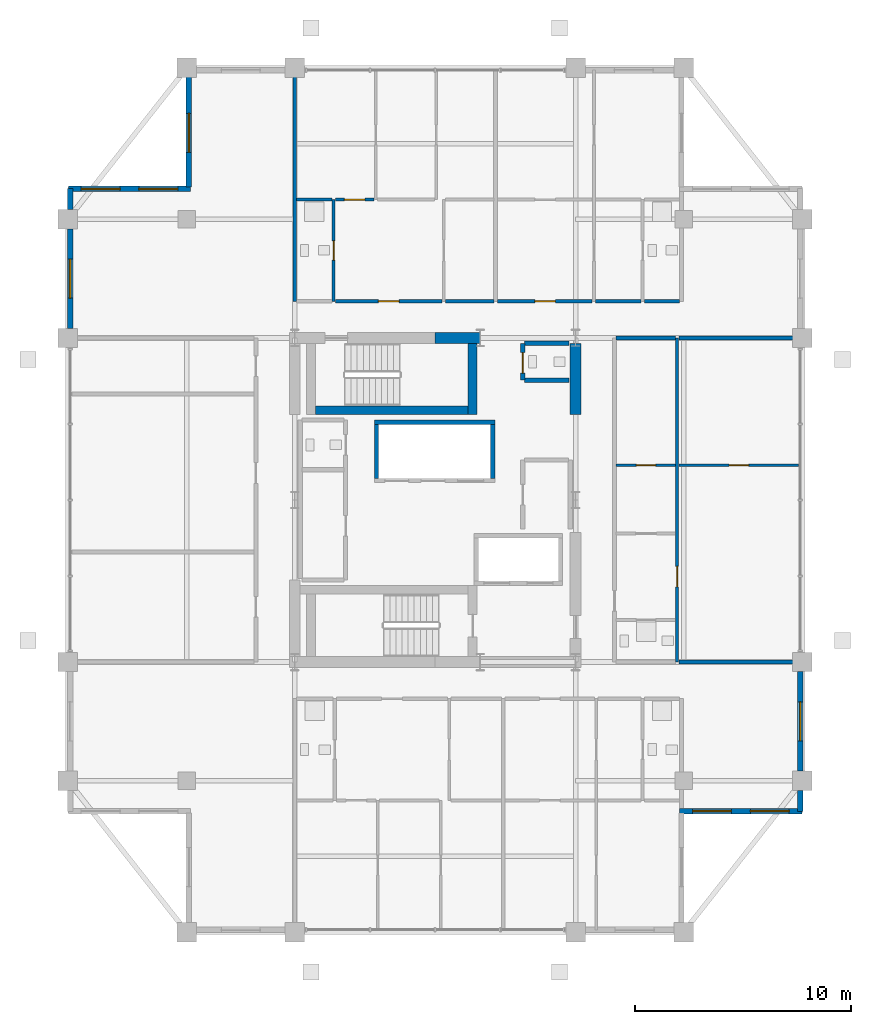
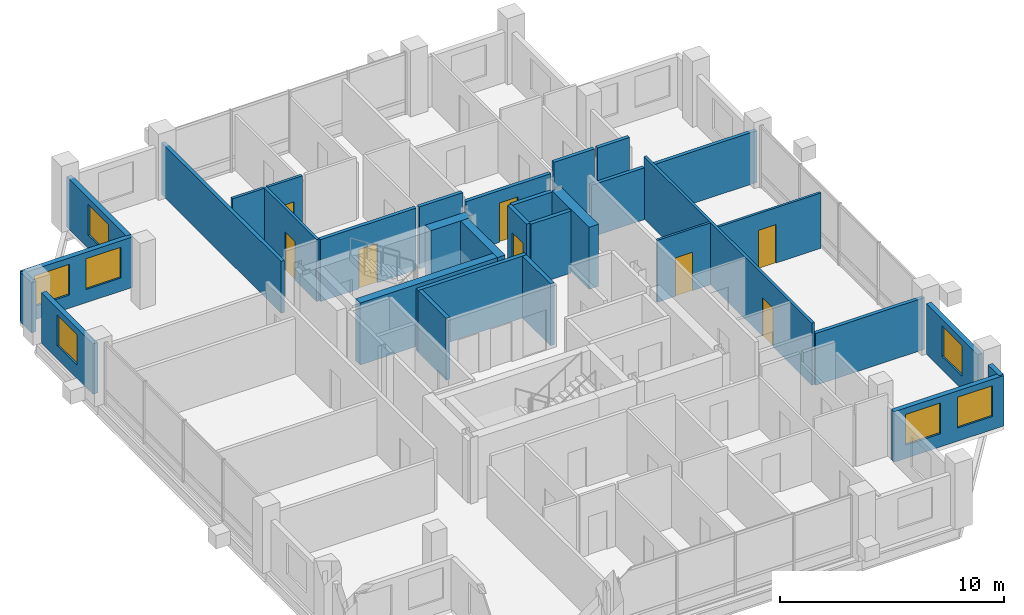
# One storey, part 18 of 21: 32 walls, 8 doors, 7 windows, 15 openings.
"""IFC4 building model written with IfcOpenShell, lengths in metres."""

from ifc_helpers import new_model, si_unit, direction, frame, frame_2d, origin, place, context, subcontext, project, spatial, rectangle, extrude, material, layer, layer_set, type_object, element, fill, save


model = new_model("IFC4")

# Units and contexts
model_context = context("Model", 3, precision=1e-05, world=origin(), true_north=direction((0.0, 1.0)))
body_context = subcontext(model_context, "Body", "Model", "MODEL_VIEW")
ifc_project = project(units=[si_unit("LENGTHUNIT", "METRE"), si_unit("AREAUNIT", "SQUARE_METRE"), si_unit("VOLUMEUNIT", "CUBIC_METRE"), si_unit("PLANEANGLEUNIT", "RADIAN"), si_unit("MASSUNIT", "GRAM", prefix="KILO")], contexts=[model_context])

# Site, building, storey
site_placement = place(None, origin())
site = spatial("IfcSite", under=ifc_project, at=site_placement, CompositionType="ELEMENT")
building_placement = place(site_placement, origin())
building = spatial("IfcBuilding", under=site, at=building_placement, Name="Barlavira Tower and Art Museum", CompositionType="ELEMENT")
storey_placement = place(building_placement, frame((0.0, 0.0, 233.10009765625)))
storey = spatial("IfcBuildingStorey", under=building, at=storey_placement, Name="L60", CompositionType="ELEMENT", Elevation=233.10009765625)

# Wall, opening, door
ifc_material_1 = material(Name="Gypsum acoustic stud partition", Category="gypsum")
ifc_layer_1 = layer(ifc_material_1, 0.1201171875, Name="Gypsum acoustic stud partition")
ifc_layer_set_1 = layer_set([ifc_layer_1], Name="Gypsum acoustic stud partition")
wall_type_1 = type_object("IfcWallType", Name="Apartment Internal Acoustic Partition 120", PredefinedType="PARTITIONING", material=ifc_layer_set_1)
wall_1_placement = place(storey_placement, frame((8.3798828125, 1.60009765625, 0.0), z_axis=(0.0, 0.0, 1.0), x_axis=(1.0, 0.0, 0.0)))
wall_1 = element("IfcWall", 1, at=wall_1_placement, inside=storey, type_object=wall_type_1, Name="L60 Partition Wall 48", PredefinedType="PARTITIONING", context=body_context, shape_type="SweptSolid", body=[
    extrude(rectangle(XDim=2.740234375, YDim=0.1201171875, at=frame_2d((1.3701171875, 0.0))), origin(), (0.0, 0.0, 1.0), 3.3798828125),
])
opening_1_placement = place(wall_1_placement, frame((0.929931640625, 0.0, 0.0)))
opening_1 = element("IfcOpeningElement", 2, at=opening_1_placement, cuts=wall_1, Name="Opening D-01", PredefinedType="OPENING", context=body_context, shape_type="SweptSolid", body=[
    extrude(rectangle(XDim=0.89990234375, YDim=2.10009765625, at=frame_2d((0.449951171875, 1.050048828125))), frame((0.0, 0.070068359375, 0.0), z_axis=(0.0, -1.0, 0.0), x_axis=(1.0, 0.0, 0.0)), (0.0, 0.0, 1.0), 0.14013671875),
])
ifc_material_2 = material(Name="Engineered coastal hardwood", Category="wood")
door_type_1 = type_object("IfcDoorType", Name="Internal Bedroom Timber Flush Door 900x2100", OperationType="NOTDEFINED", PredefinedType="DOOR", material=ifc_material_2)
door_1_placement = place(opening_1_placement, origin())
door_1 = element("IfcDoor", 3, at=door_1_placement, inside=storey, type_object=door_type_1, Name="Apartment E1 Walk-In Dressing Room Door", OperationType="SINGLE_SWING_LEFT", OverallHeight=2.10009765625, OverallWidth=0.89990234375, PredefinedType="DOOR", context=body_context, shape_type="SweptSolid", body=[
    extrude(rectangle(XDim=0.89990234375, YDim=2.10009765625, at=frame_2d((0.449951171875, 1.050048828125))), frame((0.0, 0.02490234375, 0.0), z_axis=(0.0, -1.0, 0.0), x_axis=(1.0, 0.0, 0.0)), (0.0, 0.0, 1.0), 0.050048828125),
])
fill(opening_1, door_1)

wall_2_placement = place(storey_placement, frame((11.280029296875, 1.60009765625, 0.0), z_axis=(0.0, 0.0, 1.0), x_axis=(1.0, 0.0, 0.0)))
wall_2 = element("IfcWall", 4, at=wall_2_placement, inside=storey, type_object=wall_type_1, Name="L60 Partition Wall 49", PredefinedType="PARTITIONING", context=body_context, shape_type="SweptSolid", body=[
    extrude(rectangle(XDim=5.5400390625, YDim=0.1201171875, at=frame_2d((2.77001953125, 0.0))), origin(), (0.0, 0.0, 1.0), 3.017822265625),
])
opening_2_placement = place(wall_2_placement, frame((2.330078125, 0.0, 0.0)))
opening_2 = element("IfcOpeningElement", 5, at=opening_2_placement, cuts=wall_2, Name="Opening D-01", PredefinedType="OPENING", context=body_context, shape_type="SweptSolid", body=[
    extrude(rectangle(XDim=0.89990234375, YDim=2.10009765625, at=frame_2d((0.449951171875, 1.050048828125))), frame((0.0, 0.070068359375, 0.0), z_axis=(0.0, -1.0, 0.0), x_axis=(1.0, 0.0, 0.0)), (0.0, 0.0, 1.0), 0.14013671875),
])
door_2_placement = place(opening_2_placement, origin())
door_2 = element("IfcDoor", 6, at=door_2_placement, inside=storey, type_object=door_type_1, Name="Apartment E1 Bedroom 1 Door", OperationType="SINGLE_SWING_LEFT", OverallHeight=2.10009765625, OverallWidth=0.89990234375, PredefinedType="DOOR", context=body_context, shape_type="SweptSolid", body=[
    extrude(rectangle(XDim=0.89990234375, YDim=2.10009765625, at=frame_2d((0.449951171875, 1.050048828125))), frame((0.0, 0.02490234375, 0.0), z_axis=(0.0, -1.0, 0.0), x_axis=(1.0, 0.0, 0.0)), (0.0, 0.0, 1.0), 0.050048828125),
])
fill(opening_2, door_2)

# Walls
ifc_material_3 = material(Name="Concrete C60", Category="concrete")
ifc_layer_2 = layer(ifc_material_3, 0.5, Name="Concrete C60")
ifc_layer_set_2 = layer_set([ifc_layer_2], Name="Concrete C60")
wall_type_2 = type_object("IfcWallType", Name="Core Structural Shear Wall 500 Concrete C60", PredefinedType="SHEAR", material=ifc_layer_set_2)
wall_3_placement = place(storey_placement, frame((0.0, 7.5, 0.0), z_axis=(0.0, 0.0, 1.0), x_axis=(1.0, 0.0, 0.0)))
element("IfcWall", 7, at=wall_3_placement, inside=storey, type_object=wall_type_2, Name="L60 Core Shear Wall CS-EN", PredefinedType="SHEAR", context=body_context, shape_type="SweptSolid", body=[
    extrude(rectangle(XDim=2.080078125, YDim=0.5, at=frame_2d((1.0400390625, 0.0))), origin(), (0.0, 0.0, 1.0), 3.3798828125),
])
wall_4_placement = place(storey_placement, frame((6.5, 3.949951171875, 0.0), z_axis=(0.0, 0.0, 1.0), x_axis=(0.0, 1.0, 0.0)))
element("IfcWall", 8, at=wall_4_placement, inside=storey, type_object=wall_type_2, Name="L60 Core Shear Wall CS-E2", PredefinedType="SHEAR", context=body_context, shape_type="SweptSolid", body=[
    extrude(rectangle(XDim=3.300048828125, YDim=0.5, at=frame_2d((1.64990234375, 0.0))), origin(), (0.0, 0.0, 1.0), 3.3798828125),
])
ifc_material_4 = material(Name="Autoclaved aerated concrete masonry", Category="masonry")
ifc_layer_3 = layer(ifc_material_4, 0.199951171875, Name="Autoclaved aerated concrete masonry")
ifc_layer_set_3 = layer_set([ifc_layer_3], Name="Autoclaved aerated concrete masonry")
wall_type_3 = type_object("IfcWallType", Name="Fire Compartment and Shaft Wall 200", PredefinedType="SOLIDWALL", material=ifc_layer_set_3)
wall_5_placement = place(storey_placement, frame((-2.820068359375, 3.60009765625, 0.0), z_axis=(0.0, 0.0, 1.0), x_axis=(1.0, 0.0, 0.0)))
element("IfcWall", 9, at=wall_5_placement, inside=storey, type_object=wall_type_3, Name="L60 High-Rise & Service Lift Back Wall", PredefinedType="SOLIDWALL", context=body_context, shape_type="SweptSolid", body=[
    extrude(rectangle(XDim=5.580078125, YDim=0.199951171875, at=frame_2d((2.7900390625, 0.0))), origin(), (0.0, 0.0, 1.0), 3.3798828125),
])
for number, where, z_axis, x_axis, name in (
    (10, (-2.719970703125, 1.0, 0.0), (0.0, 0.0, 1.0), (0.0, 1.0, 0.0), "L60 High-Rise & Service Lift West Wall"),
    (11, (2.659912109375, 1.0, 0.0), (0.0, 0.0, 1.0), (0.0, 1.0, 0.0), "L60 High-Rise & Service Lift East Wall"),
):
    element("IfcWall", number, at=place(storey_placement, frame(where, z_axis=z_axis, x_axis=x_axis)), inside=storey, type_object=wall_type_3, Name=name, PredefinedType="SOLIDWALL", context=body_context, shape_type="SweptSolid", body=[
        extrude(rectangle(XDim=2.5, YDim=0.199951171875, at=frame_2d((1.25, 0.0))), origin(), (0.0, 0.0, 1.0), 3.3798828125),
    ])

# Wall, opening, door
wall_6_placement = place(storey_placement, frame((4.050048828125, 5.550048828125, 0.0), z_axis=(0.0, 0.0, 1.0), x_axis=(0.0, 1.0, 0.0)))
wall_6 = element("IfcWall", 12, at=wall_6_placement, inside=storey, type_object=wall_type_3, Name="L60 Partition Wall 17", PredefinedType="SOLIDWALL", context=body_context, shape_type="SweptSolid", body=[
    extrude(rectangle(XDim=1.699951171875, YDim=0.199951171875, at=frame_2d((0.85009765625, 0.0))), origin(), (0.0, 0.0, 1.0), 3.3798828125),
])
opening_3_placement = place(wall_6_placement, frame((0.324951171875, 0.0, 0.0)))
opening_3 = element("IfcOpeningElement", 13, at=opening_3_placement, cuts=wall_6, Name="Opening FD-60", PredefinedType="OPENING", context=body_context, shape_type="SweptSolid", body=[
    extrude(rectangle(XDim=0.949951171875, YDim=2.14990234375, at=frame_2d((0.47509765625, 1.074951171875))), frame((0.0, 0.10986328125, 0.0), z_axis=(0.0, -1.0, 0.0), x_axis=(1.0, 0.0, 0.0)), (0.0, 0.0, 1.0), 0.219970703125),
])
ifc_material_5 = material(Name="Brushed stainless steel", Category="steel")
door_type_2 = type_object("IfcDoorType", Name="Apartment Entrance and Riser Fire Door 950x2150 FD60S", OperationType="NOTDEFINED", PredefinedType="DOOR", material=ifc_material_5)
door_3_placement = place(opening_3_placement, origin())
door_3 = element("IfcDoor", 14, at=door_3_placement, inside=storey, type_object=door_type_2, Name="Core Accessible Washroom Door", OperationType="SINGLE_SWING_RIGHT", OverallHeight=2.14990234375, OverallWidth=0.949951171875, PredefinedType="DOOR", context=body_context, shape_type="SweptSolid", body=[
    extrude(rectangle(XDim=0.949951171875, YDim=2.14990234375, at=frame_2d((0.47509765625, 1.074951171875))), frame((0.0, 0.02490234375, 0.0), z_axis=(0.0, -1.0, 0.0), x_axis=(1.0, 0.0, 0.0)), (0.0, 0.0, 1.0), 0.050048828125),
])
fill(opening_3, door_3)

# Walls
for number, where, z_axis, x_axis, name in (
    (15, (4.1298828125, 5.550048828125, 0.0), (0.0, 0.0, 1.0), (1.0, 0.0, 0.0), "L60 Partition Wall 53"),
    (16, (4.1298828125, 7.25, 0.0), (0.0, 0.0, 1.0), (1.0, 0.0, 0.0), "L60 Partition Wall 54"),
):
    element("IfcWall", number, at=place(storey_placement, frame(where, z_axis=z_axis, x_axis=x_axis)), inside=storey, type_object=wall_type_3, Name=name, PredefinedType="SOLIDWALL", context=body_context, shape_type="SweptSolid", body=[
        extrude(rectangle(XDim=2.070068359375, YDim=0.199951171875, at=frame_2d((1.03515625, 0.0))), origin(), (0.0, 0.0, 1.0), 3.3798828125),
    ])
ifc_layer_4 = layer(ifc_material_1, 0.179931640625, Name="Gypsum acoustic stud partition")
ifc_layer_set_4 = layer_set([ifc_layer_4], Name="Gypsum acoustic stud partition")
wall_type_4 = type_object("IfcWallType", Name="Inter-Tenancy Party Partition Wall 180", PredefinedType="PARTITIONING", material=ifc_layer_set_4)
wall_7_placement = place(storey_placement, frame((-6.5, 9.199951171875, 0.0), z_axis=(0.0, 0.0, 1.0), x_axis=(0.0, 1.0, 0.0)))
element("IfcWall", 17, at=wall_7_placement, inside=storey, type_object=wall_type_4, Name="L60 Partition Wall 3", PredefinedType="PARTITIONING", context=body_context, shape_type="SweptSolid", body=[
    extrude(rectangle(XDim=10.699951171875, YDim=0.179931640625, at=frame_2d((5.35009765625, 0.0))), origin(), (0.0, 0.0, 1.0), 2.825927734375),
])
wall_8_placement = place(storey_placement, frame((11.280029296875, -7.5, 0.0), z_axis=(0.0, 0.0, 1.0), x_axis=(1.0, 0.0, 0.0)))
element("IfcWall", 18, at=wall_8_placement, inside=storey, type_object=wall_type_4, Name="L60 Partition Wall 42", PredefinedType="PARTITIONING", context=body_context, shape_type="SweptSolid", body=[
    extrude(rectangle(XDim=5.619873046875, YDim=0.179931640625, at=frame_2d((2.81005859375, 0.0))), origin(), (0.0, 0.0, 1.0), 2.825927734375),
])
wall_9_placement = place(storey_placement, frame((8.3798828125, 7.5, 0.0), z_axis=(0.0, 0.0, 1.0), x_axis=(1.0, 0.0, 0.0)))
element("IfcWall", 19, at=wall_9_placement, inside=storey, type_object=wall_type_4, Name="L60 Partition Wall 56", PredefinedType="PARTITIONING", context=body_context, shape_type="SweptSolid", body=[
    extrude(rectangle(XDim=2.740234375, YDim=0.179931640625, at=frame_2d((1.3701171875, 0.0))), origin(), (0.0, 0.0, 1.0), 2.825927734375),
])
wall_10_placement = place(storey_placement, frame((11.280029296875, 7.5, 0.0), z_axis=(0.0, 0.0, 1.0), x_axis=(1.0, 0.0, 0.0)))
element("IfcWall", 20, at=wall_10_placement, inside=storey, type_object=wall_type_4, Name="L60 Partition Wall 57", PredefinedType="PARTITIONING", context=body_context, shape_type="SweptSolid", body=[
    extrude(rectangle(XDim=5.619873046875, YDim=0.179931640625, at=frame_2d((2.81005859375, 0.0))), origin(), (0.0, 0.0, 1.0), 2.825927734375),
])

# Wall, opening, door
wall_11_placement = place(storey_placement, frame((-4.6201171875, 9.199951171875, 0.0), z_axis=(0.0, 0.0, 1.0), x_axis=(1.0, 0.0, 0.0)))
wall_11 = element("IfcWall", 21, at=wall_11_placement, inside=storey, type_object=wall_type_4, Name="L60 Partition Wall 59", PredefinedType="PARTITIONING", context=body_context, shape_type="SweptSolid", body=[
    extrude(rectangle(XDim=4.940185546875, YDim=0.179931640625, at=frame_2d((2.47021484375, 0.0))), origin(), (0.0, 0.0, 1.0), 3.3798828125),
])
opening_4_placement = place(wall_11_placement, frame((1.9951171875, 0.0, 0.0)))
opening_4 = element("IfcOpeningElement", 22, at=opening_4_placement, cuts=wall_11, Name="Opening FD-60", PredefinedType="OPENING", context=body_context, shape_type="SweptSolid", body=[
    extrude(rectangle(XDim=0.949951171875, YDim=2.14990234375, at=frame_2d((0.47509765625, 1.074951171875))), frame((0.0, 0.10009765625, 0.0), z_axis=(0.0, -1.0, 0.0), x_axis=(1.0, 0.0, 0.0)), (0.0, 0.0, 1.0), 0.199951171875),
])
door_4_placement = place(opening_4_placement, origin())
door_4 = element("IfcDoor", 23, at=door_4_placement, inside=storey, type_object=door_type_2, Name="Apartment Entrance Hall N1 Door", OperationType="SINGLE_SWING_LEFT", OverallHeight=2.14990234375, OverallWidth=0.949951171875, PredefinedType="DOOR", context=body_context, shape_type="SweptSolid", body=[
    extrude(rectangle(XDim=0.949951171875, YDim=2.14990234375, at=frame_2d((0.47509765625, 1.074951171875))), frame((0.0, 0.02490234375, 0.0), z_axis=(0.0, -1.0, 0.0), x_axis=(1.0, 0.0, 0.0)), (0.0, 0.0, 1.0), 0.050048828125),
])
fill(opening_4, door_4)

# Wall
wall_12_placement = place(storey_placement, frame((0.47998046875, 9.199951171875, 0.0), z_axis=(0.0, 0.0, 1.0), x_axis=(1.0, 0.0, 0.0)))
element("IfcWall", 24, at=wall_12_placement, inside=storey, type_object=wall_type_4, Name="L60 Partition Wall 60", PredefinedType="PARTITIONING", context=body_context, shape_type="SweptSolid", body=[
    extrude(rectangle(XDim=2.239990234375, YDim=0.179931640625, at=frame_2d((1.1201171875, 0.0))), origin(), (0.0, 0.0, 1.0), 3.3798828125),
])

# Wall, opening, door
wall_13_placement = place(storey_placement, frame((2.8798828125, 9.199951171875, 0.0), z_axis=(0.0, 0.0, 1.0), x_axis=(1.0, 0.0, 0.0)))
wall_13 = element("IfcWall", 25, at=wall_13_placement, inside=storey, type_object=wall_type_4, Name="L60 Partition Wall 61", PredefinedType="PARTITIONING", context=body_context, shape_type="SweptSolid", body=[
    extrude(rectangle(XDim=4.39013671875, YDim=0.179931640625, at=frame_2d((2.195068359375, 0.0))), origin(), (0.0, 0.0, 1.0), 2.825927734375),
])
opening_5_placement = place(wall_13_placement, frame((1.735107421875, 0.0, 0.0)))
opening_5 = element("IfcOpeningElement", 26, at=opening_5_placement, cuts=wall_13, Name="Opening FD-60", PredefinedType="OPENING", context=body_context, shape_type="SweptSolid", body=[
    extrude(rectangle(XDim=0.949951171875, YDim=2.14990234375, at=frame_2d((0.47509765625, 1.074951171875))), frame((0.0, 0.10009765625, 0.0), z_axis=(0.0, -1.0, 0.0), x_axis=(1.0, 0.0, 0.0)), (0.0, 0.0, 1.0), 0.199951171875),
])
door_5_placement = place(opening_5_placement, origin())
door_5 = element("IfcDoor", 27, at=door_5_placement, inside=storey, type_object=door_type_2, Name="Apartment Entrance Hall N2 Door", OperationType="SINGLE_SWING_RIGHT", OverallHeight=2.14990234375, OverallWidth=0.949951171875, PredefinedType="DOOR", context=body_context, shape_type="SweptSolid", body=[
    extrude(rectangle(XDim=0.949951171875, YDim=2.14990234375, at=frame_2d((0.47509765625, 1.074951171875))), frame((0.0, 0.02490234375, 0.0), z_axis=(0.0, -1.0, 0.0), x_axis=(1.0, 0.0, 0.0)), (0.0, 0.0, 1.0), 0.050048828125),
])
fill(opening_5, door_5)

# Walls
wall_14_placement = place(storey_placement, frame((7.429931640625, 9.199951171875, 0.0), z_axis=(0.0, 0.0, 1.0), x_axis=(1.0, 0.0, 0.0)))
element("IfcWall", 28, at=wall_14_placement, inside=storey, type_object=wall_type_4, Name="L60 Partition Wall 62", PredefinedType="PARTITIONING", context=body_context, shape_type="SweptSolid", body=[
    extrude(rectangle(XDim=2.090087890625, YDim=0.179931640625, at=frame_2d((1.044921875, 0.0))), origin(), (0.0, 0.0, 1.0), 3.3798828125),
])
wall_15_placement = place(storey_placement, frame((9.679931640625, 9.199951171875, 0.0), z_axis=(0.0, 0.0, 1.0), x_axis=(1.0, 0.0, 0.0)))
element("IfcWall", 29, at=wall_15_placement, inside=storey, type_object=wall_type_4, Name="L60 Partition Wall 63", PredefinedType="PARTITIONING", context=body_context, shape_type="SweptSolid", body=[
    extrude(rectangle(XDim=1.64013671875, YDim=0.179931640625, at=frame_2d((0.820068359375, 0.0))), origin(), (0.0, 0.0, 1.0), 3.3798828125),
])

# Wall, opening, door
ifc_layer_5 = layer(ifc_material_1, 0.139892578125, Name="Gypsum acoustic stud partition")
ifc_layer_set_5 = layer_set([ifc_layer_5], Name="Gypsum acoustic stud partition")
wall_type_5 = type_object("IfcWallType", Name="Moisture-Resistant Bathroom Partition 140", PredefinedType="PARTITIONING", material=ifc_layer_set_5)
wall_16_placement = place(storey_placement, frame((-4.699951171875, 9.199951171875, 0.0), z_axis=(0.0, 0.0, 1.0), x_axis=(0.0, 1.0, 0.0)))
wall_16 = element("IfcWall", 30, at=wall_16_placement, inside=storey, type_object=wall_type_5, Name="L60 Partition Wall 5", PredefinedType="PARTITIONING", context=body_context, shape_type="SweptSolid", body=[
    extrude(rectangle(XDim=4.699951171875, YDim=0.139892578125, at=frame_2d((2.35009765625, 0.0))), origin(), (0.0, 0.0, 1.0), 3.3798828125),
])
opening_6_placement = place(wall_16_placement, frame((1.89990234375, 0.0, 0.0)))
opening_6 = element("IfcOpeningElement", 31, at=opening_6_placement, cuts=wall_16, Name="Opening D-WC", PredefinedType="OPENING", context=body_context, shape_type="SweptSolid", body=[
    extrude(rectangle(XDim=0.89990234375, YDim=2.10009765625, at=frame_2d((0.449951171875, 1.050048828125))), frame((0.0, 0.080078125, 0.0), z_axis=(0.0, -1.0, 0.0), x_axis=(1.0, 0.0, 0.0)), (0.0, 0.0, 1.0), 0.159912109375),
])
door_type_3 = type_object("IfcDoorType", Name="Accessible Bathroom Flush Door 900x2100", OperationType="NOTDEFINED", PredefinedType="DOOR", material=ifc_material_2)
door_6_placement = place(opening_6_placement, origin())
door_6 = element("IfcDoor", 32, at=door_6_placement, inside=storey, type_object=door_type_3, Name="Apartment N1 Hall Bathroom Door", OperationType="SINGLE_SWING_RIGHT", OverallHeight=2.10009765625, OverallWidth=0.89990234375, PredefinedType="DOOR", context=body_context, shape_type="SweptSolid", body=[
    extrude(rectangle(XDim=0.89990234375, YDim=2.10009765625, at=frame_2d((0.449951171875, 1.050048828125))), frame((0.0, 0.02490234375, 0.0), z_axis=(0.0, -1.0, 0.0), x_axis=(1.0, 0.0, 0.0)), (0.0, 0.0, 1.0), 0.050048828125),
])
fill(opening_6, door_6)

wall_17_placement = place(storey_placement, frame((11.199951171875, -7.5, 0.0), z_axis=(0.0, 0.0, 1.0), x_axis=(0.0, 1.0, 0.0)))
wall_17 = element("IfcWall", 33, at=wall_17_placement, inside=storey, type_object=wall_type_5, Name="L60 Partition Wall 24", PredefinedType="PARTITIONING", context=body_context, shape_type="SweptSolid", body=[
    extrude(rectangle(XDim=15.0, YDim=0.139892578125, at=frame_2d((7.5, 0.0))), origin(), (0.0, 0.0, 1.0), 3.3798828125),
])
opening_7_placement = place(wall_17_placement, frame((3.47509765625, 0.0, 0.0)))
opening_7 = element("IfcOpeningElement", 34, at=opening_7_placement, cuts=wall_17, Name="Opening D-02", PredefinedType="OPENING", context=body_context, shape_type="SweptSolid", body=[
    extrude(rectangle(XDim=0.949951171875, YDim=2.10009765625, at=frame_2d((0.47509765625, 1.050048828125))), frame((0.0, 0.080078125, 0.0), z_axis=(0.0, -1.0, 0.0), x_axis=(1.0, 0.0, 0.0)), (0.0, 0.0, 1.0), 0.159912109375),
])
door_type_4 = type_object("IfcDoorType", Name="Living and Salon Glazed-Leaf Door 950x2100", OperationType="NOTDEFINED", PredefinedType="DOOR", material=ifc_material_2)
door_7_placement = place(opening_7_placement, origin())
door_7 = element("IfcDoor", 35, at=door_7_placement, inside=storey, type_object=door_type_4, Name="Apartment E1 Living Lounge Door", OperationType="SINGLE_SWING_RIGHT", OverallHeight=2.10009765625, OverallWidth=0.949951171875, PredefinedType="DOOR", context=body_context, shape_type="SweptSolid", body=[
    extrude(rectangle(XDim=0.949951171875, YDim=2.10009765625, at=frame_2d((0.47509765625, 1.050048828125))), frame((0.0, 0.02490234375, 0.0), z_axis=(0.0, -1.0, 0.0), x_axis=(1.0, 0.0, 0.0)), (0.0, 0.0, 1.0), 0.050048828125),
])
fill(opening_7, door_7)

# Wall
wall_18_placement = place(storey_placement, frame((-6.419921875, 13.89990234375, 0.0), z_axis=(0.0, 0.0, 1.0), x_axis=(1.0, 0.0, 0.0)))
element("IfcWall", 36, at=wall_18_placement, inside=storey, type_object=wall_type_5, Name="L60 Partition Wall 64", PredefinedType="PARTITIONING", context=body_context, shape_type="SweptSolid", body=[
    extrude(rectangle(XDim=1.639892578125, YDim=0.139892578125, at=frame_2d((0.81982421875, 0.0))), origin(), (0.0, 0.0, 1.0), 3.3798828125),
])

# Wall, opening, door
wall_19_placement = place(storey_placement, frame((-4.6201171875, 13.89990234375, 0.0), z_axis=(0.0, 0.0, 1.0), x_axis=(1.0, 0.0, 0.0)))
wall_19 = element("IfcWall", 37, at=wall_19_placement, inside=storey, type_object=wall_type_5, Name="L60 Partition Wall 65", PredefinedType="PARTITIONING", context=body_context, shape_type="SweptSolid", body=[
    extrude(rectangle(XDim=1.7900390625, YDim=0.139892578125, at=frame_2d((0.89501953125, 0.0))), origin(), (0.0, 0.0, 1.0), 3.3798828125),
])
opening_8_placement = place(wall_19_placement, frame((0.4150390625, 0.0, 0.0)))
opening_8 = element("IfcOpeningElement", 38, at=opening_8_placement, cuts=wall_19, Name="Opening D-02", PredefinedType="OPENING", context=body_context, shape_type="SweptSolid", body=[
    extrude(rectangle(XDim=0.949951171875, YDim=2.10009765625, at=frame_2d((0.47509765625, 1.050048828125))), frame((0.0, 0.080078125, 0.0), z_axis=(0.0, -1.0, 0.0), x_axis=(1.0, 0.0, 0.0)), (0.0, 0.0, 1.0), 0.159912109375),
])
door_8_placement = place(opening_8_placement, origin())
door_8 = element("IfcDoor", 39, at=door_8_placement, inside=storey, type_object=door_type_4, Name="Apartment N1 Living Lounge Door", OperationType="SINGLE_SWING_LEFT", OverallHeight=2.10009765625, OverallWidth=0.949951171875, PredefinedType="DOOR", context=body_context, shape_type="SweptSolid", body=[
    extrude(rectangle(XDim=0.949951171875, YDim=2.10009765625, at=frame_2d((0.47509765625, 1.050048828125))), frame((0.0, 0.02490234375, 0.0), z_axis=(0.0, -1.0, 0.0), x_axis=(1.0, 0.0, 0.0)), (0.0, 0.0, 1.0), 0.050048828125),
])
fill(opening_8, door_8)

# Wall
ifc_material_6 = material(Name="Precast concrete C40", Category="concrete")
ifc_layer_6 = layer(ifc_material_6, 0.25, Name="Precast concrete C40")
ifc_layer_set_6 = layer_set([ifc_layer_6], Name="Precast concrete C40")
wall_type_6 = type_object("IfcWallType", Name="Notched Corner Spandrel Wall 250 Precast Concrete C40", PredefinedType="SOLIDWALL", material=ifc_layer_set_6)
wall_20_placement = place(storey_placement, frame((-16.89990234375, 14.425048828125, 0.0), z_axis=(0.0, 0.0, 1.0), x_axis=(0.0, -1.0, 0.0)))
element("IfcWall", 40, at=wall_20_placement, inside=storey, type_object=wall_type_6, Name="L60 Coastal Facade Pier Wall CW4-L60-W-1", PredefinedType="SOLIDWALL", context=body_context, shape_type="SweptSolid", body=[
    extrude(rectangle(XDim=0.97998046875, YDim=0.25, at=frame_2d((0.489990234375, 0.0))), origin(), (0.0, 0.0, 1.0), 2.747802734375),
])

# Wall, opening, window
wall_21_placement = place(storey_placement, frame((-16.89990234375, 12.554931640625, 0.0), z_axis=(0.0, 0.0, 1.0), x_axis=(0.0, -1.0, 0.0)))
wall_21 = element("IfcWall", 41, at=wall_21_placement, inside=storey, type_object=wall_type_6, Name="L60 Coastal Facade Pier Wall CW4-L60-W-2", PredefinedType="SOLIDWALL", context=body_context, shape_type="SweptSolid", body=[
    extrude(rectangle(XDim=4.60986328125, YDim=0.25, at=frame_2d((2.304931640625, 0.0))), origin(), (0.0, 0.0, 1.0), 2.747802734375),
])
opening_9_placement = place(wall_21_placement, frame((1.405029296875, 0.0, 0.719970703125)))
opening_9 = element("IfcOpeningElement", 42, at=opening_9_placement, cuts=wall_21, Name="Opening WN-01", PredefinedType="OPENING", context=body_context, shape_type="SweptSolid", body=[
    extrude(rectangle(XDim=1.800048828125, YDim=1.679931640625, at=frame_2d((0.89990234375, 0.83984375))), frame((0.0, 0.135009765625, 0.0), z_axis=(0.0, -1.0, 0.0), x_axis=(1.0, 0.0, 0.0)), (0.0, 0.0, 1.0), 0.27001953125),
])
ifc_material_7 = material(Name="Low-iron coastal laminated glass", Category="glass")
window_type = type_object("IfcWindowType", Name="Recessed Notch Corner Punch Window 1800x1680", PartitioningType="SINGLE_PANEL", PredefinedType="WINDOW", material=ifc_material_7)
window_1_placement = place(opening_9_placement, origin())
window_1 = element("IfcWindow", 43, at=window_1_placement, inside=storey, type_object=window_type, Name="L60 Punched Facade Window EWP-CW4-L60-W-2-1", OverallHeight=1.679931640625, OverallWidth=1.800048828125, PartitioningType="SINGLE_PANEL", PredefinedType="WINDOW", context=body_context, shape_type="SweptSolid", body=[
    extrude(rectangle(XDim=1.800048828125, YDim=1.679931640625, at=frame_2d((0.89990234375, 0.83984375))), frame((0.0, 0.030029296875, 0.0), z_axis=(0.0, -1.0, 0.0), x_axis=(1.0, 0.0, 0.0)), (0.0, 0.0, 1.0), 0.06005859375),
])
fill(opening_9, window_1)

# Wall
wall_22_placement = place(storey_placement, frame((16.89990234375, -14.425048828125, 0.0), z_axis=(0.0, 0.0, 1.0), x_axis=(0.0, 1.0, 0.0)))
element("IfcWall", 44, at=wall_22_placement, inside=storey, type_object=wall_type_6, Name="L60 Coastal Facade Pier Wall CW4-L60-E-1", PredefinedType="SOLIDWALL", context=body_context, shape_type="SweptSolid", body=[
    extrude(rectangle(XDim=0.97998046875, YDim=0.25, at=frame_2d((0.489990234375, 0.0))), origin(), (0.0, 0.0, 1.0), 2.747802734375),
])

# Wall, opening, window
wall_23_placement = place(storey_placement, frame((16.89990234375, -12.554931640625, 0.0), z_axis=(0.0, 0.0, 1.0), x_axis=(0.0, 1.0, 0.0)))
wall_23 = element("IfcWall", 45, at=wall_23_placement, inside=storey, type_object=wall_type_6, Name="L60 Coastal Facade Pier Wall CW4-L60-E-2", PredefinedType="SOLIDWALL", context=body_context, shape_type="SweptSolid", body=[
    extrude(rectangle(XDim=4.60986328125, YDim=0.25, at=frame_2d((2.304931640625, 0.0))), origin(), (0.0, 0.0, 1.0), 2.747802734375),
])
opening_10_placement = place(wall_23_placement, frame((1.405029296875, 0.0, 0.719970703125)))
opening_10 = element("IfcOpeningElement", 46, at=opening_10_placement, cuts=wall_23, Name="Opening WN-01", PredefinedType="OPENING", context=body_context, shape_type="SweptSolid", body=[
    extrude(rectangle(XDim=1.800048828125, YDim=1.679931640625, at=frame_2d((0.89990234375, 0.83984375))), frame((0.0, 0.135009765625, 0.0), z_axis=(0.0, -1.0, 0.0), x_axis=(1.0, 0.0, 0.0)), (0.0, 0.0, 1.0), 0.27001953125),
])
window_2_placement = place(opening_10_placement, origin())
window_2 = element("IfcWindow", 47, at=window_2_placement, inside=storey, type_object=window_type, Name="L60 Punched Facade Window EWP-CW4-L60-E-2-1", OverallHeight=1.679931640625, OverallWidth=1.800048828125, PartitioningType="SINGLE_PANEL", PredefinedType="WINDOW", context=body_context, shape_type="SweptSolid", body=[
    extrude(rectangle(XDim=1.800048828125, YDim=1.679931640625, at=frame_2d((0.89990234375, 0.83984375))), frame((0.0, 0.030029296875, 0.0), z_axis=(0.0, -1.0, 0.0), x_axis=(1.0, 0.0, 0.0)), (0.0, 0.0, 1.0), 0.06005859375),
])
fill(opening_10, window_2)

# Wall, openings, windows
wall_24_placement = place(storey_placement, frame((11.320068359375, -14.39990234375, 0.0), z_axis=(0.0, 0.0, 1.0), x_axis=(1.0, 0.0, 0.0)))
wall_24 = element("IfcWall", 48, at=wall_24_placement, inside=storey, type_object=wall_type_6, Name="L60 Notch Corner Wall SE2", PredefinedType="SOLIDWALL", context=body_context, shape_type="SweptSolid", body=[
    extrude(rectangle(XDim=5.659912109375, YDim=0.25, at=frame_2d((2.830078125, 0.0))), origin(), (0.0, 0.0, 1.0), 2.747802734375),
])
opening_11_placement = place(wall_24_placement, frame((0.594970703125, 0.0, 0.719970703125)))
opening_11 = element("IfcOpeningElement", 49, at=opening_11_placement, cuts=wall_24, Name="Opening WN-01", PredefinedType="OPENING", context=body_context, shape_type="SweptSolid", body=[
    extrude(rectangle(XDim=1.800048828125, YDim=1.679931640625, at=frame_2d((0.89990234375, 0.83984375))), frame((0.0, 0.135009765625, 0.0), z_axis=(0.0, -1.0, 0.0), x_axis=(1.0, 0.0, 0.0)), (0.0, 0.0, 1.0), 0.27001953125),
])
opening_12_placement = place(wall_24_placement, frame((3.264892578125, 0.0, 0.719970703125)))
opening_12 = element("IfcOpeningElement", 50, at=opening_12_placement, cuts=wall_24, Name="Opening WN-01", PredefinedType="OPENING", context=body_context, shape_type="SweptSolid", body=[
    extrude(rectangle(XDim=1.800048828125, YDim=1.679931640625, at=frame_2d((0.89990234375, 0.83984375))), frame((0.0, 0.135009765625, 0.0), z_axis=(0.0, -1.0, 0.0), x_axis=(1.0, 0.0, 0.0)), (0.0, 0.0, 1.0), 0.27001953125),
])
window_3_placement = place(opening_11_placement, origin())
window_3 = element("IfcWindow", 51, at=window_3_placement, inside=storey, type_object=window_type, Name="L60 Punched Facade Window EW-NTC-L60-SE2-1", OverallHeight=1.679931640625, OverallWidth=1.800048828125, PartitioningType="SINGLE_PANEL", PredefinedType="WINDOW", context=body_context, shape_type="SweptSolid", body=[
    extrude(rectangle(XDim=1.800048828125, YDim=1.679931640625, at=frame_2d((0.89990234375, 0.83984375))), frame((0.0, 0.030029296875, 0.0), z_axis=(0.0, -1.0, 0.0), x_axis=(1.0, 0.0, 0.0)), (0.0, 0.0, 1.0), 0.06005859375),
])
fill(opening_11, window_3)
window_4_placement = place(opening_12_placement, origin())
window_4 = element("IfcWindow", 52, at=window_4_placement, inside=storey, type_object=window_type, Name="L60 Punched Facade Window EW-NTC-L60-SE2-2", OverallHeight=1.679931640625, OverallWidth=1.800048828125, PartitioningType="SINGLE_PANEL", PredefinedType="WINDOW", context=body_context, shape_type="SweptSolid", body=[
    extrude(rectangle(XDim=1.800048828125, YDim=1.679931640625, at=frame_2d((0.89990234375, 0.83984375))), frame((0.0, 0.030029296875, 0.0), z_axis=(0.0, -1.0, 0.0), x_axis=(1.0, 0.0, 0.0)), (0.0, 0.0, 1.0), 0.06005859375),
])
fill(opening_12, window_4)

# Wall, opening, window
wall_25_placement = place(storey_placement, frame((-11.39990234375, 19.820068359375, 0.0), z_axis=(0.0, 0.0, 1.0), x_axis=(0.0, -1.0, 0.0)))
wall_25 = element("IfcWall", 53, at=wall_25_placement, inside=storey, type_object=wall_type_6, Name="L60 Notch Corner Wall NW1", PredefinedType="SOLIDWALL", context=body_context, shape_type="SweptSolid", body=[
    extrude(rectangle(XDim=5.340087890625, YDim=0.25, at=frame_2d((2.669921875, 0.0))), origin(), (0.0, 0.0, 1.0), 2.747802734375),
])
opening_13_placement = place(wall_25_placement, frame((1.925048828125, 0.0, 0.719970703125)))
opening_13 = element("IfcOpeningElement", 54, at=opening_13_placement, cuts=wall_25, Name="Opening WN-01", PredefinedType="OPENING", context=body_context, shape_type="SweptSolid", body=[
    extrude(rectangle(XDim=1.800048828125, YDim=1.679931640625, at=frame_2d((0.89990234375, 0.83984375))), frame((0.0, 0.135009765625, 0.0), z_axis=(0.0, -1.0, 0.0), x_axis=(1.0, 0.0, 0.0)), (0.0, 0.0, 1.0), 0.27001953125),
])
window_5_placement = place(opening_13_placement, origin())
window_5 = element("IfcWindow", 55, at=window_5_placement, inside=storey, type_object=window_type, Name="L60 Punched Facade Window EW-NTC-L60-NW1-1", OverallHeight=1.679931640625, OverallWidth=1.800048828125, PartitioningType="SINGLE_PANEL", PredefinedType="WINDOW", context=body_context, shape_type="SweptSolid", body=[
    extrude(rectangle(XDim=1.800048828125, YDim=1.679931640625, at=frame_2d((0.89990234375, 0.83984375))), frame((0.0, 0.030029296875, 0.0), z_axis=(0.0, -1.0, 0.0), x_axis=(1.0, 0.0, 0.0)), (0.0, 0.0, 1.0), 0.06005859375),
])
fill(opening_13, window_5)

# Wall, openings, windows
wall_26_placement = place(storey_placement, frame((-11.320068359375, 14.39990234375, 0.0), z_axis=(0.0, 0.0, 1.0), x_axis=(-1.0, 0.0, 0.0)))
wall_26 = element("IfcWall", 56, at=wall_26_placement, inside=storey, type_object=wall_type_6, Name="L60 Notch Corner Wall NW2", PredefinedType="SOLIDWALL", context=body_context, shape_type="SweptSolid", body=[
    extrude(rectangle(XDim=5.659912109375, YDim=0.25, at=frame_2d((2.830078125, 0.0))), origin(), (0.0, 0.0, 1.0), 2.747802734375),
])
opening_14_placement = place(wall_26_placement, frame((0.594970703125, 0.0, 0.719970703125)))
opening_14 = element("IfcOpeningElement", 57, at=opening_14_placement, cuts=wall_26, Name="Opening WN-01", PredefinedType="OPENING", context=body_context, shape_type="SweptSolid", body=[
    extrude(rectangle(XDim=1.800048828125, YDim=1.679931640625, at=frame_2d((0.89990234375, 0.83984375))), frame((0.0, 0.135009765625, 0.0), z_axis=(0.0, -1.0, 0.0), x_axis=(1.0, 0.0, 0.0)), (0.0, 0.0, 1.0), 0.27001953125),
])
opening_15_placement = place(wall_26_placement, frame((3.264892578125, 0.0, 0.719970703125)))
opening_15 = element("IfcOpeningElement", 58, at=opening_15_placement, cuts=wall_26, Name="Opening WN-01", PredefinedType="OPENING", context=body_context, shape_type="SweptSolid", body=[
    extrude(rectangle(XDim=1.800048828125, YDim=1.679931640625, at=frame_2d((0.89990234375, 0.83984375))), frame((0.0, 0.135009765625, 0.0), z_axis=(0.0, -1.0, 0.0), x_axis=(1.0, 0.0, 0.0)), (0.0, 0.0, 1.0), 0.27001953125),
])
window_6_placement = place(opening_14_placement, origin())
window_6 = element("IfcWindow", 59, at=window_6_placement, inside=storey, type_object=window_type, Name="L60 Punched Facade Window EW-NTC-L60-NW2-1", OverallHeight=1.679931640625, OverallWidth=1.800048828125, PartitioningType="SINGLE_PANEL", PredefinedType="WINDOW", context=body_context, shape_type="SweptSolid", body=[
    extrude(rectangle(XDim=1.800048828125, YDim=1.679931640625, at=frame_2d((0.89990234375, 0.83984375))), frame((0.0, 0.030029296875, 0.0), z_axis=(0.0, -1.0, 0.0), x_axis=(1.0, 0.0, 0.0)), (0.0, 0.0, 1.0), 0.06005859375),
])
fill(opening_14, window_6)
window_7_placement = place(opening_15_placement, origin())
window_7 = element("IfcWindow", 60, at=window_7_placement, inside=storey, type_object=window_type, Name="L60 Punched Facade Window EW-NTC-L60-NW2-2", OverallHeight=1.679931640625, OverallWidth=1.800048828125, PartitioningType="SINGLE_PANEL", PredefinedType="WINDOW", context=body_context, shape_type="SweptSolid", body=[
    extrude(rectangle(XDim=1.800048828125, YDim=1.679931640625, at=frame_2d((0.89990234375, 0.83984375))), frame((0.0, 0.030029296875, 0.0), z_axis=(0.0, -1.0, 0.0), x_axis=(1.0, 0.0, 0.0)), (0.0, 0.0, 1.0), 0.06005859375),
])
fill(opening_15, window_7)

# Walls
ifc_material_8 = material(Name="Concrete C55", Category="concrete")
ifc_layer_7 = layer(ifc_material_8, 0.39990234375, Name="Concrete C55")
ifc_layer_set_7 = layer_set([ifc_layer_7], Name="Concrete C55")
wall_type_7 = type_object("IfcWallType", Name="Upper Core Shear Wall 400 Concrete C55", PredefinedType="SHEAR", material=ifc_layer_set_7)
wall_27_placement = place(storey_placement, frame((-5.550048828125, 4.14990234375, 0.0), z_axis=(0.0, 0.0, 1.0), x_axis=(1.0, 0.0, 0.0)))
element("IfcWall", 61, at=wall_27_placement, inside=storey, type_object=wall_type_7, Name="L60 ST-T2 South Shaft Wall", PredefinedType="SHEAR", context=body_context, shape_type="SweptSolid", body=[
    extrude(rectangle(XDim=7.080078125, YDim=0.39990234375, at=frame_2d((3.5400390625, 0.0))), origin(), (0.0, 0.0, 1.0), 3.3798828125),
])
wall_28_placement = place(storey_placement, frame((1.72998046875, 3.949951171875, 0.0), z_axis=(0.0, 0.0, 1.0), x_axis=(0.0, 1.0, 0.0)))
element("IfcWall", 62, at=wall_28_placement, inside=storey, type_object=wall_type_7, Name="L60 ST-T2 East Half-Landing Wall", PredefinedType="SHEAR", context=body_context, shape_type="SweptSolid", body=[
    extrude(rectangle(XDim=3.300048828125, YDim=0.39990234375, at=frame_2d((1.64990234375, 0.0))), origin(), (0.0, 0.0, 1.0), 3.3798828125),
])

save(model, "model.ifc")
